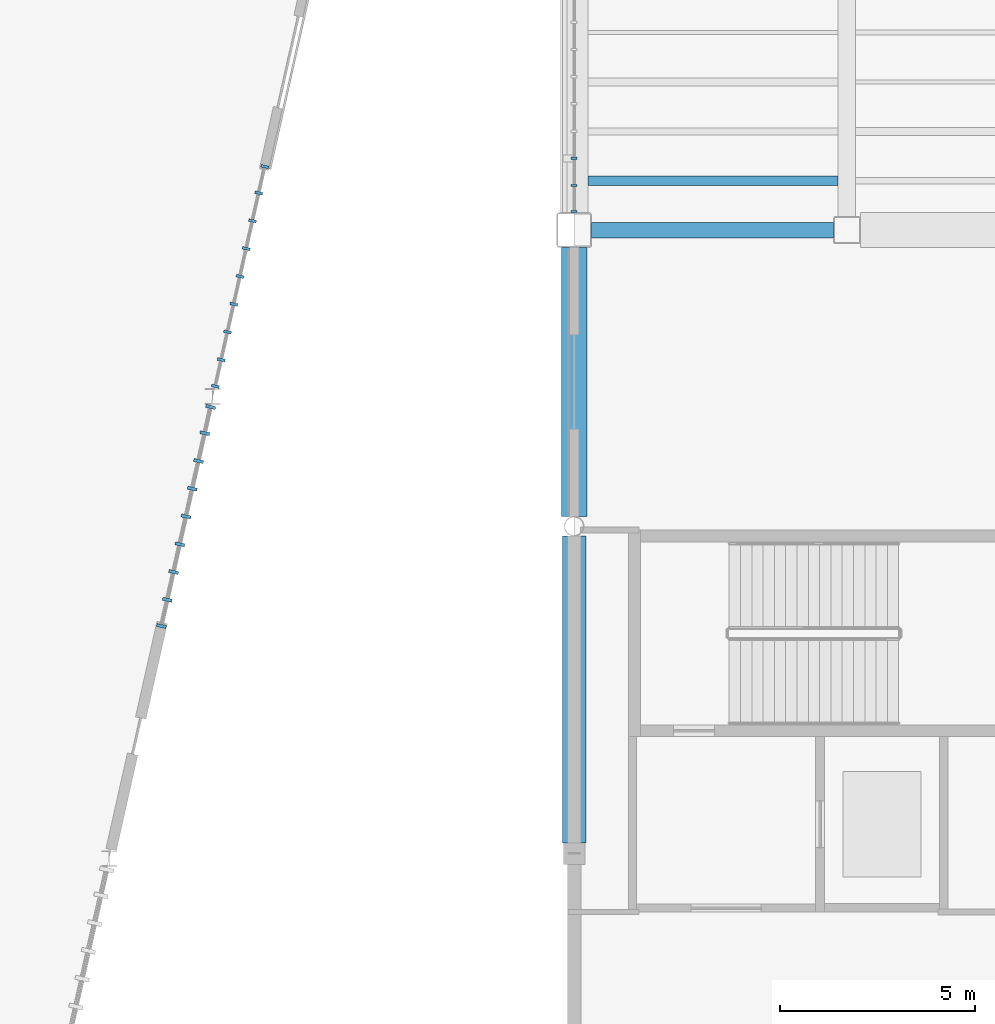
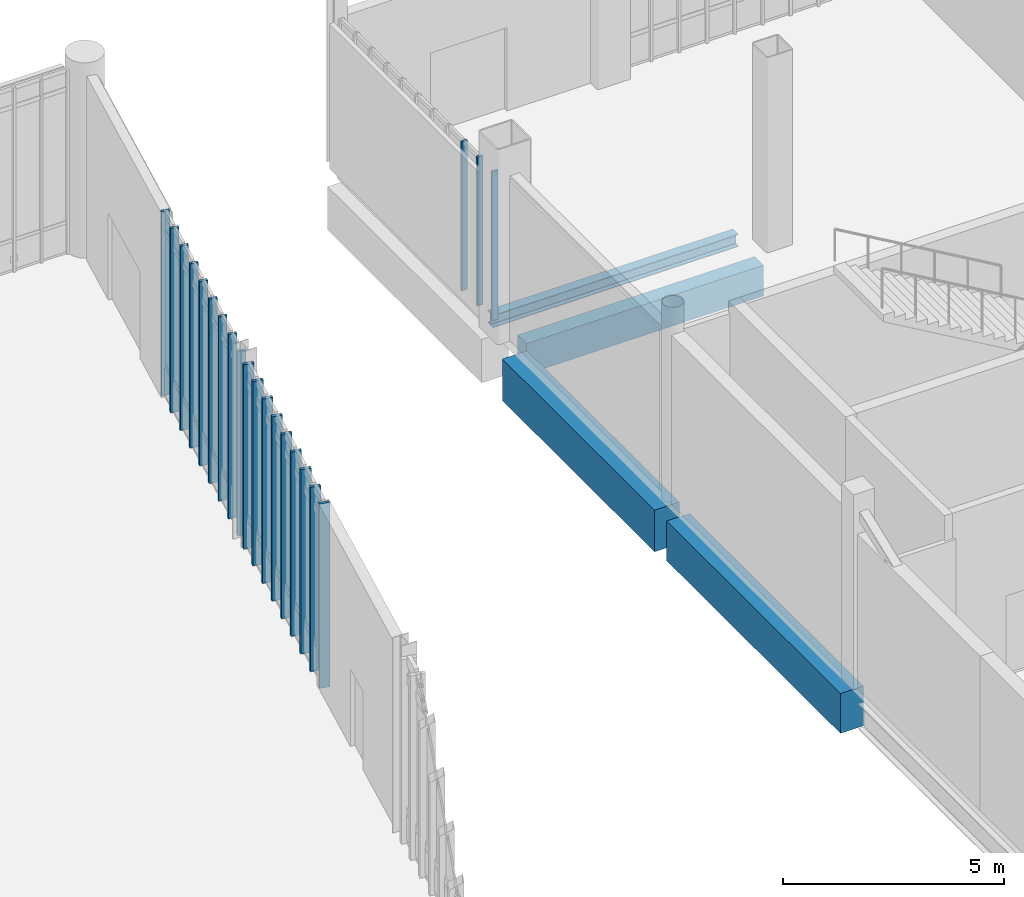
# One storey, part 29 of 111: 21 members, 4 beams, 3 elements without a shape of their own.
"""IFC4 building model written with IfcOpenShell, lengths in metres."""

from ifc_helpers import new_model, si_unit, direction, frame, origin, origin_2d, place, context, subcontext, project, spatial, rectangle, i_section, extrude, material, material_profile, profile_set, type_object, element, aggregate, save


model = new_model("IFC4")

# Units and contexts
model_context = context("Model", 3, precision=1e-05, world=origin(), true_north=direction((0.0, 1.0)))
body_context = subcontext(model_context, "Body", "Model", "MODEL_VIEW")
ifc_project = project(units=[si_unit("LENGTHUNIT", "METRE"), si_unit("AREAUNIT", "SQUARE_METRE"), si_unit("VOLUMEUNIT", "CUBIC_METRE"), si_unit("PLANEANGLEUNIT", "RADIAN"), si_unit("MASSUNIT", "GRAM", prefix="KILO")], contexts=[model_context])

# Site, building, storey
site_placement = place(None, origin())
site = spatial("IfcSite", under=ifc_project, at=site_placement, CompositionType="ELEMENT")
building_placement = place(site_placement, origin())
building = spatial("IfcBuilding", under=site, at=building_placement, Name="Larkvane Passage Sports Hall", CompositionType="ELEMENT")
storey_placement = place(building_placement, origin())
storey = spatial("IfcBuildingStorey", under=building, at=storey_placement, Name="L00", CompositionType="ELEMENT", Elevation=0.0)

# Beams
ifc_material_1 = material(Name="Concrete C50/60", Category="concrete")
ifc_material_profile_1 = material_profile(ifc_material_1, rectangle(XDim=0.60009765625, YDim=1.10009765625, at=origin_2d()), Name="RC-BM-600x1100")
ifc_profile_set_1 = profile_set([ifc_material_profile_1], Name="Concrete C50/60")
beam_type_1 = type_object("IfcBeamType", Name="BM-RC-600x1100", PredefinedType="BEAM", material=ifc_profile_set_1)
beam_1_placement = place(storey_placement, frame((124.60009765625, 75.875, -0.969970703125), z_axis=(0.0, 1.0, 0.0), x_axis=(-1.0, 0.0, 0.0)))
element("IfcBeam", 1, at=beam_1_placement, inside=storey, type_object=beam_type_1, Name="Girder BM5-Y-L00-17-0128", PredefinedType="BEAM", context=body_context, shape_type="SweptSolid", body=[
    extrude(rectangle(XDim=0.60009765625, YDim=1.10009765625, at=origin_2d()), origin(), (0.0, 0.0, 1.0), 7.87109375),
])
ifc_material_profile_2 = material_profile(ifc_material_1, rectangle(XDim=0.64990234375, YDim=1.14990234375, at=origin_2d()), Name="RC-BM-650x1150")
ifc_profile_set_2 = profile_set([ifc_material_profile_2], Name="Concrete C50/60")
beam_type_2 = type_object("IfcBeamType", Name="BM-RC-650x1150", PredefinedType="BEAM", material=ifc_profile_set_2)
beam_2_placement = place(storey_placement, frame((124.60009765625, 84.25390625, -0.9951171875), z_axis=(0.0, 1.0, 0.0), x_axis=(-1.0, 0.0, 0.0)))
element("IfcBeam", 2, at=beam_2_placement, inside=storey, type_object=beam_type_2, Name="Girder BM5-Y-L00-17-0129", PredefinedType="BEAM", context=body_context, shape_type="SweptSolid", body=[
    extrude(rectangle(XDim=0.64990234375, YDim=1.14990234375, at=origin_2d()), origin(), (0.0, 0.0, 1.0), 6.89599609375),
])

# Curtain wall, members
ifc_material_2 = material(Name="Thermally broken aluminium and low-E glazing", Category="aluminium")
curtain_wall_type_1 = type_object("IfcCurtainWallType", Name="CW-UNIT-COURT", PredefinedType="USERDEFINED", material=ifc_material_2)
curtain_wall_1_placement = place(storey_placement, origin())
curtain_wall_1 = element("IfcCurtainWall", 3, at=curtain_wall_1_placement, inside=storey, type_object=curtain_wall_type_1, Name="Curtain wall CW5-L00-020", ObjectType="UNITISED CURTAIN WALL", PredefinedType="USERDEFINED")
ifc_material_3 = material(Name="Anodised aluminium 6063-T6", Category="aluminium")
ifc_material_profile_3 = material_profile(ifc_material_3, rectangle(XDim=0.06005859375, YDim=0.14990234375, at=origin_2d()), Name="ALU-MUL-60x150")
ifc_profile_set_3 = profile_set([ifc_material_profile_3], Name="Anodised aluminium 6063-T6")
member_type_1 = type_object("IfcMemberType", Name="CW-MUL-60x150", PredefinedType="MULLION", material=ifc_profile_set_3)
member_1_placement = place(storey_placement, frame((124.60009765625, 92.075927734375, 0.0), z_axis=(0.0, 0.0, 1.0), x_axis=(0.0, 1.0, 0.0)))
member_1 = element("IfcMember", 4, at=member_1_placement, type_object=member_type_1, Name="CW-01 mullion 1", PredefinedType="MULLION", context=body_context, shape_type="SweptSolid", body=[
    extrude(rectangle(XDim=0.06005859375, YDim=0.14990234375, at=origin_2d()), origin(), (0.0, 0.0, 1.0), 4.117919921875),
])
member_2_placement = place(storey_placement, frame((124.60009765625, 92.744384765625, 0.0), z_axis=(0.0, 0.0, 1.0), x_axis=(0.0, 1.0, 0.0)))
member_2 = element("IfcMember", 5, at=member_2_placement, type_object=member_type_1, Name="CW-01 mullion 2", PredefinedType="MULLION", context=body_context, shape_type="SweptSolid", body=[
    extrude(rectangle(XDim=0.06005859375, YDim=0.14990234375, at=origin_2d()), origin(), (0.0, 0.0, 1.0), 4.117919921875),
])
member_3_placement = place(storey_placement, frame((124.60009765625, 93.442626953125, 0.0), z_axis=(0.0, 0.0, 1.0), x_axis=(0.0, 1.0, 0.0)))
member_3 = element("IfcMember", 6, at=member_3_placement, type_object=member_type_1, Name="CW-01 mullion 3", PredefinedType="MULLION", context=body_context, shape_type="SweptSolid", body=[
    extrude(rectangle(XDim=0.06005859375, YDim=0.14990234375, at=origin_2d()), origin(), (0.0, 0.0, 1.0), 4.117919921875),
])
aggregate(curtain_wall_1, [member_1, member_2, member_3])

curtain_wall_type_2 = type_object("IfcCurtainWallType", Name="CW-UNIT-VEIL", PredefinedType="USERDEFINED", material=ifc_material_2)
curtain_wall_2_placement = place(storey_placement, origin())
curtain_wall_2 = element("IfcCurtainWall", 7, at=curtain_wall_2_placement, inside=storey, type_object=curtain_wall_type_2, Name="Curtain wall CW5-L00-013", ObjectType="UNITISED CURTAIN WALL", PredefinedType="USERDEFINED")
ifc_material_profile_4 = material_profile(ifc_material_3, rectangle(XDim=0.070068359375, YDim=0.199951171875, at=origin_2d()), Name="ALU-MUL-70x200")
ifc_profile_set_4 = profile_set([ifc_material_profile_4], Name="Anodised aluminium 6063-T6")
member_type_2 = type_object("IfcMemberType", Name="CW-MUL-70x200", PredefinedType="MULLION", material=ifc_profile_set_4)
member_4_placement = place(storey_placement, frame((116.658447265625, 93.23046875, 0.0), z_axis=(0.0, 0.0, 1.0), x_axis=(-0.219243647747, -0.975670140428, 0.0)))
member_4 = element("IfcMember", 8, at=member_4_placement, type_object=member_type_2, Name="CW-02 mullion 1", PredefinedType="MULLION", context=body_context, shape_type="SweptSolid", body=[
    extrude(rectangle(XDim=0.070068359375, YDim=0.199951171875, at=origin_2d()), origin(), (0.0, 0.0, 1.0), 5.10009765625),
])
member_5_placement = place(storey_placement, frame((116.505859375, 92.551513671875, 0.0), z_axis=(0.0, 0.0, 1.0), x_axis=(-0.219243647747, -0.975670140428, 0.0)))
member_5 = element("IfcMember", 9, at=member_5_placement, type_object=member_type_2, Name="CW-02 mullion 2", PredefinedType="MULLION", context=body_context, shape_type="SweptSolid", body=[
    extrude(rectangle(XDim=0.070068359375, YDim=0.199951171875, at=origin_2d()), origin(), (0.0, 0.0, 1.0), 5.10009765625),
])
member_6_placement = place(storey_placement, frame((116.345703125, 91.838134765625, 0.0), z_axis=(0.0, 0.0, 1.0), x_axis=(-0.219243647747, -0.975670140428, 0.0)))
member_6 = element("IfcMember", 10, at=member_6_placement, type_object=member_type_2, Name="CW-02 mullion 3", PredefinedType="MULLION", context=body_context, shape_type="SweptSolid", body=[
    extrude(rectangle(XDim=0.070068359375, YDim=0.199951171875, at=origin_2d()), origin(), (0.0, 0.0, 1.0), 5.10009765625),
])
member_7_placement = place(storey_placement, frame((116.185302734375, 91.125, 0.0), z_axis=(0.0, 0.0, 1.0), x_axis=(-0.219243647747, -0.975670140428, 0.0)))
member_7 = element("IfcMember", 11, at=member_7_placement, type_object=member_type_2, Name="CW-02 mullion 4", PredefinedType="MULLION", context=body_context, shape_type="SweptSolid", body=[
    extrude(rectangle(XDim=0.070068359375, YDim=0.199951171875, at=origin_2d()), origin(), (0.0, 0.0, 1.0), 5.10009765625),
])
member_8_placement = place(storey_placement, frame((116.025146484375, 90.41162109375, 0.0), z_axis=(0.0, 0.0, 1.0), x_axis=(-0.219243647747, -0.975670140428, 0.0)))
member_8 = element("IfcMember", 12, at=member_8_placement, type_object=member_type_2, Name="CW-02 mullion 5", PredefinedType="MULLION", context=body_context, shape_type="SweptSolid", body=[
    extrude(rectangle(XDim=0.070068359375, YDim=0.199951171875, at=origin_2d()), origin(), (0.0, 0.0, 1.0), 5.10009765625),
])
member_9_placement = place(storey_placement, frame((115.86474609375, 89.698486328125, 0.0), z_axis=(0.0, 0.0, 1.0), x_axis=(-0.219243647747, -0.975670140428, 0.0)))
member_9 = element("IfcMember", 13, at=member_9_placement, type_object=member_type_2, Name="CW-02 mullion 6", PredefinedType="MULLION", context=body_context, shape_type="SweptSolid", body=[
    extrude(rectangle(XDim=0.070068359375, YDim=0.199951171875, at=origin_2d()), origin(), (0.0, 0.0, 1.0), 5.10009765625),
])
member_10_placement = place(storey_placement, frame((115.70458984375, 88.985107421875, 0.0), z_axis=(0.0, 0.0, 1.0), x_axis=(-0.219243647747, -0.975670140428, 0.0)))
member_10 = element("IfcMember", 14, at=member_10_placement, type_object=member_type_2, Name="CW-02 mullion 7", PredefinedType="MULLION", context=body_context, shape_type="SweptSolid", body=[
    extrude(rectangle(XDim=0.070068359375, YDim=0.199951171875, at=origin_2d()), origin(), (0.0, 0.0, 1.0), 5.10009765625),
])
member_11_placement = place(storey_placement, frame((115.544189453125, 88.27197265625, 0.0), z_axis=(0.0, 0.0, 1.0), x_axis=(-0.219243647747, -0.975670140428, 0.0)))
member_11 = element("IfcMember", 15, at=member_11_placement, type_object=member_type_2, Name="CW-02 mullion 8", PredefinedType="MULLION", context=body_context, shape_type="SweptSolid", body=[
    extrude(rectangle(XDim=0.070068359375, YDim=0.199951171875, at=origin_2d()), origin(), (0.0, 0.0, 1.0), 5.10009765625),
])
member_12_placement = place(storey_placement, frame((115.3916015625, 87.5927734375, 0.0), z_axis=(0.0, 0.0, 1.0), x_axis=(-0.219243647747, -0.975670140428, 0.0)))
member_12 = element("IfcMember", 16, at=member_12_placement, type_object=member_type_2, Name="CW-02 mullion 9", PredefinedType="MULLION", context=body_context, shape_type="SweptSolid", body=[
    extrude(rectangle(XDim=0.070068359375, YDim=0.199951171875, at=origin_2d()), origin(), (0.0, 0.0, 1.0), 5.10009765625),
])
aggregate(curtain_wall_2, [member_4, member_5, member_6, member_7, member_8, member_9, member_10, member_11, member_12])

curtain_wall_type_3 = type_object("IfcCurtainWallType", Name="CW-STICK-FOYER", PredefinedType="USERDEFINED", material=ifc_material_2)
curtain_wall_3_placement = place(storey_placement, origin())
curtain_wall_3 = element("IfcCurtainWall", 17, at=curtain_wall_3_placement, inside=storey, type_object=curtain_wall_type_3, Name="Curtain wall CW5-L00-014", ObjectType="STICK CURTAIN WALL", PredefinedType="USERDEFINED")
ifc_material_profile_5 = material_profile(ifc_material_3, rectangle(XDim=0.080078125, YDim=0.25, at=origin_2d()), Name="ALU-MUL-80x250")
ifc_profile_set_5 = profile_set([ifc_material_profile_5], Name="Anodised aluminium 6063-T6")
member_type_3 = type_object("IfcMemberType", Name="CW-MUL-80x250", PredefinedType="MULLION", material=ifc_profile_set_5)
member_13_placement = place(storey_placement, frame((115.272216796875, 87.061279296875, 0.0), z_axis=(0.0, 0.0, 1.0), x_axis=(-0.219244189156, -0.975670018767, 0.0)))
member_13 = element("IfcMember", 18, at=member_13_placement, type_object=member_type_3, Name="CW-03 mullion 1", PredefinedType="MULLION", context=body_context, shape_type="SweptSolid", body=[
    extrude(rectangle(XDim=0.080078125, YDim=0.25, at=origin_2d()), origin(), (0.0, 0.0, 1.0), 5.10009765625),
])
member_14_placement = place(storey_placement, frame((115.120849609375, 86.3876953125, 0.0), z_axis=(0.0, 0.0, 1.0), x_axis=(-0.219244189156, -0.975670018767, 0.0)))
member_14 = element("IfcMember", 19, at=member_14_placement, type_object=member_type_3, Name="CW-03 mullion 2", PredefinedType="MULLION", context=body_context, shape_type="SweptSolid", body=[
    extrude(rectangle(XDim=0.080078125, YDim=0.25, at=origin_2d()), origin(), (0.0, 0.0, 1.0), 5.10009765625),
])
member_15_placement = place(storey_placement, frame((114.960693359375, 85.675048828125, 0.0), z_axis=(0.0, 0.0, 1.0), x_axis=(-0.219244189156, -0.975670018767, 0.0)))
member_15 = element("IfcMember", 20, at=member_15_placement, type_object=member_type_3, Name="CW-03 mullion 3", PredefinedType="MULLION", context=body_context, shape_type="SweptSolid", body=[
    extrude(rectangle(XDim=0.080078125, YDim=0.25, at=origin_2d()), origin(), (0.0, 0.0, 1.0), 5.10009765625),
])
member_16_placement = place(storey_placement, frame((114.800537109375, 84.962646484375, 0.0), z_axis=(0.0, 0.0, 1.0), x_axis=(-0.219244189156, -0.975670018767, 0.0)))
member_16 = element("IfcMember", 21, at=member_16_placement, type_object=member_type_3, Name="CW-03 mullion 4", PredefinedType="MULLION", context=body_context, shape_type="SweptSolid", body=[
    extrude(rectangle(XDim=0.080078125, YDim=0.25, at=origin_2d()), origin(), (0.0, 0.0, 1.0), 5.10009765625),
])
member_17_placement = place(storey_placement, frame((114.640380859375, 84.25, 0.0), z_axis=(0.0, 0.0, 1.0), x_axis=(-0.219244189156, -0.975670018767, 0.0)))
member_17 = element("IfcMember", 22, at=member_17_placement, type_object=member_type_3, Name="CW-03 mullion 5", PredefinedType="MULLION", context=body_context, shape_type="SweptSolid", body=[
    extrude(rectangle(XDim=0.080078125, YDim=0.25, at=origin_2d()), origin(), (0.0, 0.0, 1.0), 5.10009765625),
])
member_18_placement = place(storey_placement, frame((114.480224609375, 83.53759765625, 0.0), z_axis=(0.0, 0.0, 1.0), x_axis=(-0.219244189156, -0.975670018767, 0.0)))
member_18 = element("IfcMember", 23, at=member_18_placement, type_object=member_type_3, Name="CW-03 mullion 6", PredefinedType="MULLION", context=body_context, shape_type="SweptSolid", body=[
    extrude(rectangle(XDim=0.080078125, YDim=0.25, at=origin_2d()), origin(), (0.0, 0.0, 1.0), 5.10009765625),
])
member_19_placement = place(storey_placement, frame((114.3203125, 82.824951171875, 0.0), z_axis=(0.0, 0.0, 1.0), x_axis=(-0.219244189156, -0.975670018767, 0.0)))
member_19 = element("IfcMember", 24, at=member_19_placement, type_object=member_type_3, Name="CW-03 mullion 7", PredefinedType="MULLION", context=body_context, shape_type="SweptSolid", body=[
    extrude(rectangle(XDim=0.080078125, YDim=0.25, at=origin_2d()), origin(), (0.0, 0.0, 1.0), 5.10009765625),
])
member_20_placement = place(storey_placement, frame((114.16015625, 82.112548828125, 0.0), z_axis=(0.0, 0.0, 1.0), x_axis=(-0.219244189156, -0.975670018767, 0.0)))
member_20 = element("IfcMember", 25, at=member_20_placement, type_object=member_type_3, Name="CW-03 mullion 8", PredefinedType="MULLION", context=body_context, shape_type="SweptSolid", body=[
    extrude(rectangle(XDim=0.080078125, YDim=0.25, at=origin_2d()), origin(), (0.0, 0.0, 1.0), 5.10009765625),
])
member_21_placement = place(storey_placement, frame((114.0087890625, 81.43896484375, 0.0), z_axis=(0.0, 0.0, 1.0), x_axis=(-0.219244189156, -0.975670018767, 0.0)))
member_21 = element("IfcMember", 26, at=member_21_placement, type_object=member_type_3, Name="CW-03 mullion 9", PredefinedType="MULLION", context=body_context, shape_type="SweptSolid", body=[
    extrude(rectangle(XDim=0.080078125, YDim=0.25, at=origin_2d()), origin(), (0.0, 0.0, 1.0), 5.10009765625),
])
aggregate(curtain_wall_3, [member_13, member_14, member_15, member_16, member_17, member_18, member_19, member_20, member_21])

# Beams
ifc_material_4 = material(Name="Steel S355JR", Category="steel")
ifc_material_profile_6 = material_profile(ifc_material_4, i_section(OverallWidth=0.25, OverallDepth=0.340087890625, WebThickness=0.009033203125, FlangeThickness=0.013916015625, FilletRadius=0.012939453125, at=origin_2d()), Name="H-340x250x9x14")
ifc_profile_set_6 = profile_set([ifc_material_profile_6], Name="Steel S355JR")
beam_type_3 = type_object("IfcBeamType", Name="JST-STL-H340", PredefinedType="JOIST", material=ifc_profile_set_6)
beam_3_placement = place(storey_placement, frame((124.949951171875, 92.86669921875, -0.590087890625), z_axis=(1.0, 0.0, 0.0), x_axis=(0.0, 1.0, 0.0)))
element("IfcBeam", 27, at=beam_3_placement, inside=storey, type_object=beam_type_3, Name="Composite joist L00 17/L-1", PredefinedType="JOIST", context=body_context, shape_type="SweptSolid", body=[
    extrude(i_section(OverallWidth=0.25, OverallDepth=0.340087890625, WebThickness=0.009033203125, FlangeThickness=0.013916015625, FilletRadius=0.012939453125, at=origin_2d()), origin(), (0.0, 0.0, 1.0), 6.425048828125),
])
ifc_material_5 = material(Name="Concrete C40/50", Category="concrete")
ifc_material_profile_7 = material_profile(ifc_material_5, rectangle(XDim=0.39990234375, YDim=0.85009765625, at=origin_2d()), Name="RC-SP-400x850")
ifc_profile_set_7 = profile_set([ifc_material_profile_7], Name="Concrete C40/50")
beam_type_4 = type_object("IfcBeamType", Name="SP-RC-400x850", PredefinedType="SPANDREL", material=ifc_profile_set_7)
beam_4_placement = place(storey_placement, frame((125.050048828125, 91.60009765625, -0.844970703125), z_axis=(1.0, 0.0, 0.0), x_axis=(0.0, 1.0, 0.0)))
element("IfcBeam", 28, at=beam_4_placement, inside=storey, type_object=beam_type_4, Name="Girder BM5-X-L00-L-0070", PredefinedType="SPANDREL", context=body_context, shape_type="SweptSolid", body=[
    extrude(rectangle(XDim=0.39990234375, YDim=0.85009765625, at=origin_2d()), origin(), (0.0, 0.0, 1.0), 6.199951171875),
])

save(model, "model.ifc")
